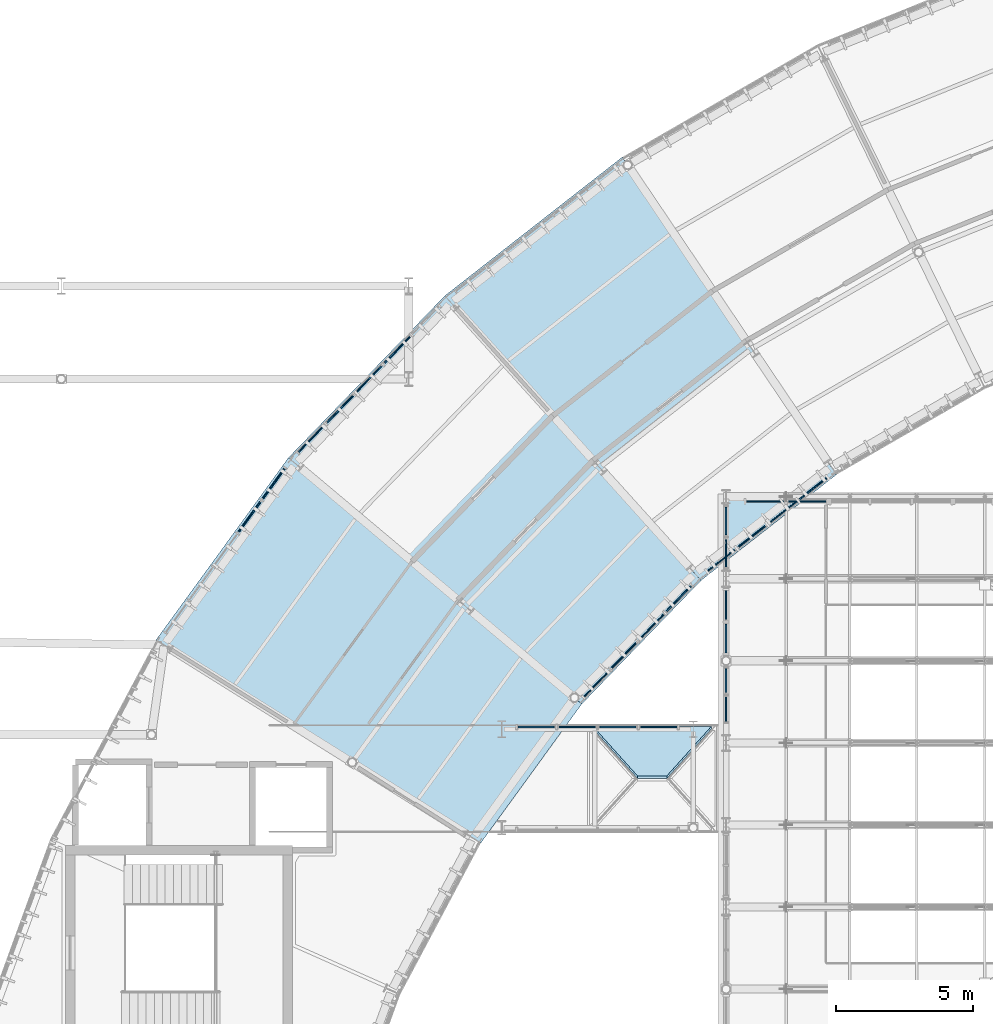
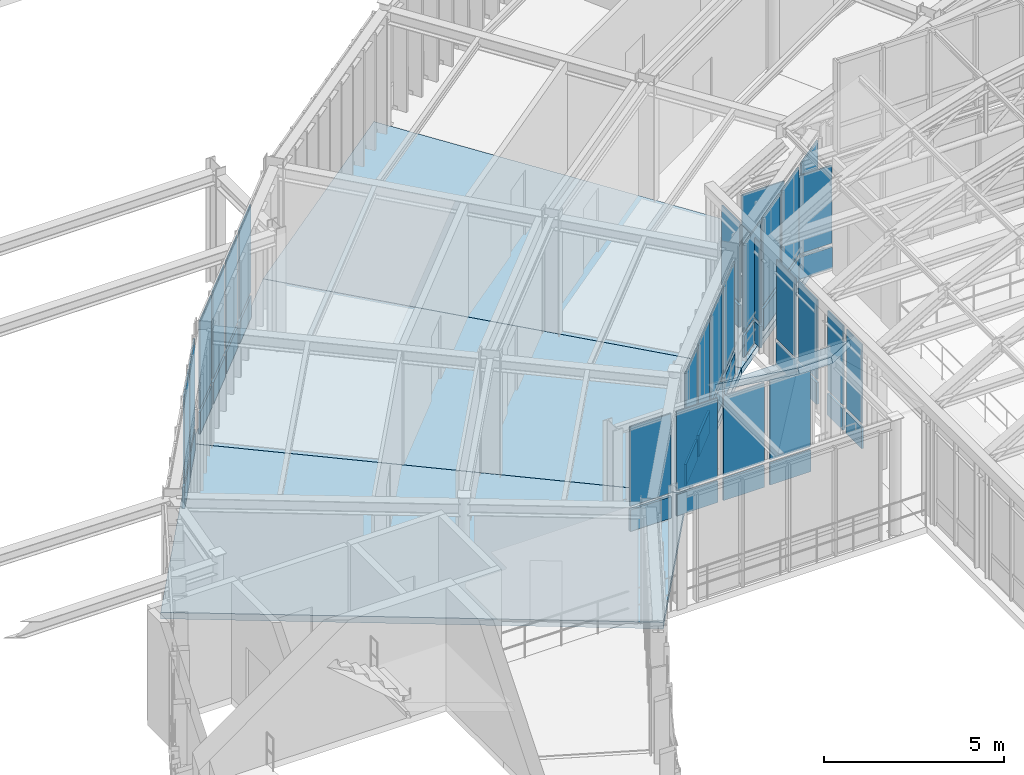
# One storey, part 96 of 148: 52 plates, 4 slabs, 9 elements without a shape of their own.
"""IFC4 building model written with IfcOpenShell, lengths in metres."""

from ifc_helpers import new_model, si_unit, direction, frame, origin, origin_2d, place, context, subcontext, project, spatial, polyline, rectangle, outline, extrude, material, layer, layer_set, type_object, element, aggregate, save


model = new_model("IFC4")

# Units and contexts
model_context = context("Model", 3, precision=1e-05, world=origin(), true_north=direction((0.0, 1.0)))
body_context = subcontext(model_context, "Body", "Model", "MODEL_VIEW")
ifc_project = project(units=[si_unit("LENGTHUNIT", "METRE"), si_unit("AREAUNIT", "SQUARE_METRE"), si_unit("VOLUMEUNIT", "CUBIC_METRE"), si_unit("PLANEANGLEUNIT", "RADIAN"), si_unit("MASSUNIT", "GRAM", prefix="KILO"), si_unit("THERMODYNAMICTEMPERATUREUNIT", "KELVIN"), si_unit("POWERUNIT", "WATT")], contexts=[model_context])

# Site, building, storey
site_placement = place(None, origin())
site = spatial("IfcSite", under=ifc_project, at=site_placement, CompositionType="ELEMENT")
building_placement = place(site_placement, origin())
building = spatial("IfcBuilding", under=site, at=building_placement, Name="Solvatero Civic Police Headquarters", CompositionType="ELEMENT")
storey_placement = place(building_placement, frame((0.0, 0.0, 5.10009765625)))
storey = spatial("IfcBuildingStorey", under=building, at=storey_placement, Name="L01", CompositionType="ELEMENT", Elevation=5.10009765625)

# Curtain wall, plates
ifc_material_1 = material(Name="Anodized Bronze Aluminium", Category="aluminium")
ifc_layer_1 = layer(ifc_material_1, 0.179931640625)
ifc_layer_set_1 = layer_set([ifc_layer_1], Name="Anodized Bronze Aluminium")
curtain_wall_type_1 = type_object("IfcCurtainWallType", Name="CW-ARC-IN", PredefinedType="USERDEFINED", material=ifc_layer_set_1)
curtain_wall_1_placement = place(storey_placement, origin())
curtain_wall_1 = element("IfcCurtainWall", 1, at=curtain_wall_1_placement, inside=storey, type_object=curtain_wall_type_1, Name="Curtain Wall CW-R2-L01-ARC-IN-B06", ObjectType="UNITISED", PredefinedType="USERDEFINED")
ifc_material_2 = material(Name="Triple Low-E Laminated Glass", Category="glass")
ifc_layer_2 = layer(ifc_material_2, 0.0380859375)
ifc_layer_set_2 = layer_set([ifc_layer_2], Name="Triple Low-E Laminated Glass")
plate_type_1 = type_object("IfcPlateType", Name="CWP-GLZ-38", PredefinedType="CURTAIN_PANEL", material=ifc_layer_set_2)
plate_1_placement = place(storey_placement, frame((66.866943359375, 61.919921875, 0.91015625), z_axis=(0.0, 0.0, 1.0), x_axis=(-0.788010753607, -0.615661475326, 0.0)))
plate_1 = element("IfcPlate", 2, at=plate_1_placement, type_object=plate_type_1, Name="CW-R2-L01-ARC-IN-B06 Vision Glazing 2", PredefinedType="CURTAIN_PANEL", context=body_context, shape_type="SweptSolid", body=[
    extrude(rectangle(XDim=1.23876953125, YDim=0.0380859375, at=origin_2d()), origin(), (0.0, 0.0, 1.0), 2.969970703125),
])
plate_2_placement = place(storey_placement, frame((64.630859375, 60.173095703125, 0.91015625), z_axis=(0.0, 0.0, 1.0), x_axis=(-0.788010753607, -0.615661475326, 0.0)))
plate_2 = element("IfcPlate", 3, at=plate_2_placement, type_object=plate_type_1, Name="CW-R2-L01-ARC-IN-B06 Vision Glazing 4", PredefinedType="CURTAIN_PANEL", context=body_context, shape_type="SweptSolid", body=[
    extrude(rectangle(XDim=1.23876953125, YDim=0.0380859375, at=origin_2d()), origin(), (0.0, 0.0, 1.0), 2.969970703125),
])

ifc_layer_3 = layer(ifc_material_1, 0.179931640625)
ifc_layer_set_3 = layer_set([ifc_layer_3], Name="Anodized Bronze Aluminium")
curtain_wall_type_2 = type_object("IfcCurtainWallType", Name="CW-ARC-OUT", PredefinedType="USERDEFINED", material=ifc_layer_set_3)
curtain_wall_2_placement = place(storey_placement, origin())
curtain_wall_2 = element("IfcCurtainWall", 4, at=curtain_wall_2_placement, inside=storey, type_object=curtain_wall_type_2, Name="Curtain Wall CW-R2-L01-ARC-OUT-B07", ObjectType="UNITISED", PredefinedType="USERDEFINED")
plate_3_placement = place(storey_placement, frame((51.735107421875, 66.7880859375, 0.91015625), z_axis=(0.0, 0.0, 1.0), x_axis=(-0.694645815505, -0.719351924305, 0.0)))
plate_3 = element("IfcPlate", 5, at=plate_3_placement, type_object=plate_type_1, Name="CW-R2-L01-ARC-OUT-B07 Vision Glazing 3", PredefinedType="CURTAIN_PANEL", context=body_context, shape_type="SweptSolid", body=[
    extrude(rectangle(XDim=1.328125, YDim=0.0380859375, at=origin_2d()), origin(), (0.0, 0.0, 1.0), 2.969970703125),
])
plate_4_placement = place(storey_placement, frame((49.64013671875, 64.618408203125, 0.91015625), z_axis=(0.0, 0.0, 1.0), x_axis=(-0.694645815505, -0.719351924305, 0.0)))
plate_4 = element("IfcPlate", 6, at=plate_4_placement, type_object=plate_type_1, Name="CW-R2-L01-ARC-OUT-B07 Vision Glazing 5", PredefinedType="CURTAIN_PANEL", context=body_context, shape_type="SweptSolid", body=[
    extrude(rectangle(XDim=1.328125, YDim=0.0380859375, at=origin_2d()), origin(), (0.0, 0.0, 1.0), 2.969970703125),
])

curtain_wall_3_placement = place(storey_placement, origin())
curtain_wall_3 = element("IfcCurtainWall", 7, at=curtain_wall_3_placement, inside=storey, type_object=curtain_wall_type_1, Name="Curtain Wall CW-R2-L01-ARC-IN-B07", ObjectType="UNITISED", PredefinedType="USERDEFINED")
plate_5_placement = place(storey_placement, frame((62.072509765625, 57.732666015625, 0.91015625), z_axis=(0.0, 0.0, 1.0), x_axis=(-0.694658370459, -0.719339800339, 0.0)))
plate_5 = element("IfcPlate", 8, at=plate_5_placement, type_object=plate_type_1, Name="CW-R2-L01-ARC-IN-B07 Vision Glazing 2", PredefinedType="CURTAIN_PANEL", context=body_context, shape_type="SweptSolid", body=[
    extrude(rectangle(XDim=1.263671875, YDim=0.0380859375, at=origin_2d()), origin(), (0.0, 0.0, 1.0), 2.969970703125),
])
plate_6_placement = place(storey_placement, frame((60.066650390625, 55.655517578125, 0.91015625), z_axis=(0.0, 0.0, 1.0), x_axis=(-0.694658370459, -0.719339800339, 0.0)))
plate_6 = element("IfcPlate", 9, at=plate_6_placement, type_object=plate_type_1, Name="CW-R2-L01-ARC-IN-B07 Vision Glazing 4", PredefinedType="CURTAIN_PANEL", context=body_context, shape_type="SweptSolid", body=[
    extrude(rectangle(XDim=1.263671875, YDim=0.0380859375, at=origin_2d()), origin(), (0.0, 0.0, 1.0), 2.969970703125),
])

# Curtain wall, plate
curtain_wall_4_placement = place(storey_placement, origin())
curtain_wall_4 = element("IfcCurtainWall", 10, at=curtain_wall_4_placement, inside=storey, type_object=curtain_wall_type_2, Name="Curtain Wall CW-R2-L01-ARC-OUT-B08", ObjectType="UNITISED", PredefinedType="USERDEFINED")
plate_7_placement = place(storey_placement, frame((48.265869140625, 62.980712890625, 0.91015625), z_axis=(0.0, 0.0, 1.0), x_axis=(-0.587785252292, -0.809016994375, 0.0)))
plate_7 = element("IfcPlate", 11, at=plate_7_placement, type_object=plate_type_1, Name="CW-R2-L01-ARC-OUT-B08 Vision Glazing 1", PredefinedType="CURTAIN_PANEL", context=body_context, shape_type="SweptSolid", body=[
    extrude(rectangle(XDim=1.326171875, YDim=0.0380859375, at=origin_2d()), origin(), (0.0, 0.0, 1.0), 2.969970703125),
])

ifc_layer_4 = layer(ifc_material_1, 0.179931640625)
ifc_layer_set_4 = layer_set([ifc_layer_4], Name="Anodized Bronze Aluminium")
curtain_wall_type_3 = type_object("IfcCurtainWallType", Name="CW-HAL-GLZ", PredefinedType="USERDEFINED", material=ifc_layer_set_4)
curtain_wall_5_placement = place(storey_placement, origin())
curtain_wall_5 = element("IfcCurtainWall", 12, at=curtain_wall_5_placement, inside=storey, type_object=curtain_wall_type_3, Name="Curtain Wall CW-R2-L01-V2-W-B5", ObjectType="UNITISED", PredefinedType="USERDEFINED")
plate_8_placement = place(storey_placement, frame((64.800048828125, 54.73193359375, 0.909912109375), z_axis=(0.0, 0.0, 1.0), x_axis=(0.0, 1.0, 0.0)))
plate_8 = element("IfcPlate", 13, at=plate_8_placement, type_object=plate_type_1, Name="CW-R2-L01-V2-W-B5 Vision Glazing 1", PredefinedType="CURTAIN_PANEL", context=body_context, shape_type="SweptSolid", body=[
    extrude(rectangle(XDim=0.864013671875, YDim=0.0380859375, at=origin_2d()), origin(), (0.0, 0.0, 1.0), 2.68994140625),
])

curtain_wall_6_placement = place(storey_placement, origin())
curtain_wall_6 = element("IfcCurtainWall", 14, at=curtain_wall_6_placement, inside=storey, type_object=curtain_wall_type_3, Name="Curtain Wall CW-R2-L01-V2-W-B6", ObjectType="UNITISED", PredefinedType="USERDEFINED")
plate_9_placement = place(storey_placement, frame((64.800048828125, 58.5380859375, 0.909912109375), z_axis=(0.0, 0.0, 1.0), x_axis=(0.0, 1.0, 0.0)))
plate_9 = element("IfcPlate", 15, at=plate_9_placement, type_object=plate_type_1, Name="CW-R2-L01-V2-W-B6 Vision Glazing 2", PredefinedType="CURTAIN_PANEL", context=body_context, shape_type="SweptSolid", body=[
    extrude(rectangle(XDim=1.0439453125, YDim=0.0380859375, at=origin_2d()), origin(), (0.0, 0.0, 1.0), 2.68994140625),
])

curtain_wall_7_placement = place(storey_placement, origin())
curtain_wall_7 = element("IfcCurtainWall", 16, at=curtain_wall_7_placement, inside=storey, type_object=curtain_wall_type_3, Name="Curtain Wall CW-R2-L01-V2-W-B7", ObjectType="UNITISED", PredefinedType="USERDEFINED")
plate_10_placement = place(storey_placement, frame((64.800048828125, 60.43701171875, 0.909912109375), z_axis=(0.0, 0.0, 1.0), x_axis=(0.0, 1.0, 0.0)))
plate_10 = element("IfcPlate", 17, at=plate_10_placement, type_object=plate_type_1, Name="CW-R2-L01-V2-W-B7 Vision Glazing 1", PredefinedType="CURTAIN_PANEL", context=body_context, shape_type="SweptSolid", body=[
    extrude(rectangle(XDim=0.993896484375, YDim=0.0380859375, at=origin_2d()), origin(), (0.0, 0.0, 1.0), 2.68994140625),
])

# Curtain wall, plates
ifc_layer_5 = layer(ifc_material_1, 0.179931640625)
ifc_layer_set_5 = layer_set([ifc_layer_5], Name="Anodized Bronze Aluminium")
curtain_wall_type_4 = type_object("IfcCurtainWallType", Name="CW-SB-GLZ", PredefinedType="USERDEFINED", material=ifc_layer_set_5)
curtain_wall_8_placement = place(storey_placement, origin())
curtain_wall_8 = element("IfcCurtainWall", 18, at=curtain_wall_8_placement, inside=storey, type_object=curtain_wall_type_4, Name="Curtain Wall CW-R2-L01-V2LK-N", ObjectType="UNITISED", PredefinedType="USERDEFINED")
plate_11_placement = place(storey_placement, frame((59.3525390625, 54.080078125, 0.909912109375), z_axis=(0.0, 0.0, 1.0), x_axis=(1.0, 0.0, 0.0)))
plate_11 = element("IfcPlate", 19, at=plate_11_placement, type_object=plate_type_1, Name="CW-R2-L01-V2LK-N Vision Glazing 2", PredefinedType="CURTAIN_PANEL", context=body_context, shape_type="SweptSolid", body=[
    extrude(rectangle(XDim=1.31494140625, YDim=0.0380859375, at=origin_2d()), origin(), (0.0, 0.0, 1.0), 2.68994140625),
])
plate_12_placement = place(storey_placement, frame((62.342529296875, 54.080078125, 0.909912109375), z_axis=(0.0, 0.0, 1.0), x_axis=(1.0, 0.0, 0.0)))
plate_12 = element("IfcPlate", 20, at=plate_12_placement, type_object=plate_type_1, Name="CW-R2-L01-V2LK-N Vision Glazing 4", PredefinedType="CURTAIN_PANEL", context=body_context, shape_type="SweptSolid", body=[
    extrude(rectangle(XDim=1.31494140625, YDim=0.0380859375, at=origin_2d()), origin(), (0.0, 0.0, 1.0), 2.68994140625),
])

# Curtain wall, plate
curtain_wall_9_placement = place(storey_placement, origin())
curtain_wall_9 = element("IfcCurtainWall", 21, at=curtain_wall_9_placement, inside=storey, type_object=curtain_wall_type_3, Name="Curtain Wall CW-R2-L01-V2-N", ObjectType="UNITISED", PredefinedType="USERDEFINED")
plate_13_placement = place(storey_placement, frame((67.763916015625, 62.320068359375, 0.909912109375), z_axis=(0.0, 0.0, 1.0), x_axis=(1.0, 0.0, 0.0)))
plate_13 = element("IfcPlate", 22, at=plate_13_placement, type_object=plate_type_1, Name="CW-R2-L01-V2-N Vision Glazing 2", PredefinedType="CURTAIN_PANEL", context=body_context, shape_type="SweptSolid", body=[
    extrude(rectangle(XDim=1.35595703125, YDim=0.0380859375, at=origin_2d()), origin(), (0.0, 0.0, 1.0), 2.64990234375),
])

# Plate
ifc_material_3 = material(Name="Acoustic Ballistic Laminated Glass", Category="glass")
ifc_layer_6 = layer(ifc_material_3, 0.0439453125)
ifc_layer_set_6 = layer_set([ifc_layer_6], Name="Acoustic Ballistic Laminated Glass")
plate_type_2 = type_object("IfcPlateType", Name="CWP-GLZ-44", PredefinedType="CURTAIN_PANEL", material=ifc_layer_set_6)
plate_14_placement = place(storey_placement, frame((67.98486328125, 62.79345703125, 0.91015625), z_axis=(0.0, 0.0, 1.0), x_axis=(-0.788010753607, -0.615661475326, 0.0)))
plate_14 = element("IfcPlate", 23, at=plate_14_placement, type_object=plate_type_2, Name="CW-R2-L01-ARC-IN-B06 Vision Glazing 1", PredefinedType="CURTAIN_PANEL", context=body_context, shape_type="SweptSolid", body=[
    extrude(rectangle(XDim=1.23876953125, YDim=0.0439453125, at=origin_2d()), origin(), (0.0, 0.0, 1.0), 2.969970703125),
])

plate_15_placement = place(storey_placement, frame((65.748779296875, 61.04638671875, 0.91015625), z_axis=(0.0, 0.0, 1.0), x_axis=(-0.788010753607, -0.615661475326, 0.0)))
plate_15 = element("IfcPlate", 24, at=plate_15_placement, type_object=plate_type_2, Name="CW-R2-L01-ARC-IN-B06 Vision Glazing 3", PredefinedType="CURTAIN_PANEL", context=body_context, shape_type="SweptSolid", body=[
    extrude(rectangle(XDim=1.23876953125, YDim=0.0439453125, at=origin_2d()), origin(), (0.0, 0.0, 1.0), 2.969970703125),
])

plate_16_placement = place(storey_placement, frame((52.78271484375, 67.873046875, 0.91015625), z_axis=(0.0, 0.0, 1.0), x_axis=(-0.694645815505, -0.719351924305, 0.0)))
plate_16 = element("IfcPlate", 25, at=plate_16_placement, type_object=plate_type_2, Name="CW-R2-L01-ARC-OUT-B07 Vision Glazing 2", PredefinedType="CURTAIN_PANEL", context=body_context, shape_type="SweptSolid", body=[
    extrude(rectangle(XDim=1.328125, YDim=0.0439453125, at=origin_2d()), origin(), (0.0, 0.0, 1.0), 2.969970703125),
])

plate_17_placement = place(storey_placement, frame((50.687744140625, 65.703369140625, 0.91015625), z_axis=(0.0, 0.0, 1.0), x_axis=(-0.694645815505, -0.719351924305, 0.0)))
plate_17 = element("IfcPlate", 26, at=plate_17_placement, type_object=plate_type_2, Name="CW-R2-L01-ARC-OUT-B07 Vision Glazing 4", PredefinedType="CURTAIN_PANEL", context=body_context, shape_type="SweptSolid", body=[
    extrude(rectangle(XDim=1.328125, YDim=0.0439453125, at=origin_2d()), origin(), (0.0, 0.0, 1.0), 2.969970703125),
])

plate_18_placement = place(storey_placement, frame((63.075439453125, 58.77099609375, 0.91015625), z_axis=(0.0, 0.0, 1.0), x_axis=(-0.694658370459, -0.719339800339, 0.0)))
plate_18 = element("IfcPlate", 27, at=plate_18_placement, type_object=plate_type_2, Name="CW-R2-L01-ARC-IN-B07 Vision Glazing 1", PredefinedType="CURTAIN_PANEL", context=body_context, shape_type="SweptSolid", body=[
    extrude(rectangle(XDim=1.263671875, YDim=0.0439453125, at=origin_2d()), origin(), (0.0, 0.0, 1.0), 2.969970703125),
])

plate_19_placement = place(storey_placement, frame((61.069580078125, 56.694091796875, 0.91015625), z_axis=(0.0, 0.0, 1.0), x_axis=(-0.694658370459, -0.719339800339, 0.0)))
plate_19 = element("IfcPlate", 28, at=plate_19_placement, type_object=plate_type_2, Name="CW-R2-L01-ARC-IN-B07 Vision Glazing 3", PredefinedType="CURTAIN_PANEL", context=body_context, shape_type="SweptSolid", body=[
    extrude(rectangle(XDim=1.263671875, YDim=0.0439453125, at=origin_2d()), origin(), (0.0, 0.0, 1.0), 2.969970703125),
])

plate_20_placement = place(storey_placement, frame((47.380615234375, 61.76220703125, 0.91015625), z_axis=(0.0, 0.0, 1.0), x_axis=(-0.587785252292, -0.809016994375, 0.0)))
plate_20 = element("IfcPlate", 29, at=plate_20_placement, type_object=plate_type_2, Name="CW-R2-L01-ARC-OUT-B08 Vision Glazing 2", PredefinedType="CURTAIN_PANEL", context=body_context, shape_type="SweptSolid", body=[
    extrude(rectangle(XDim=1.326171875, YDim=0.0439453125, at=origin_2d()), origin(), (0.0, 0.0, 1.0), 2.969970703125),
])

plate_21_placement = place(storey_placement, frame((64.800048828125, 55.77587890625, 0.909912109375), z_axis=(0.0, 0.0, 1.0), x_axis=(0.0, 1.0, 0.0)))
plate_21 = element("IfcPlate", 30, at=plate_21_placement, type_object=plate_type_2, Name="CW-R2-L01-V2-W-B5 Vision Glazing 2", PredefinedType="CURTAIN_PANEL", context=body_context, shape_type="SweptSolid", body=[
    extrude(rectangle(XDim=0.864013671875, YDim=0.0439453125, at=origin_2d()), origin(), (0.0, 0.0, 1.0), 2.68994140625),
])

plate_22_placement = place(storey_placement, frame((64.800048828125, 57.31396484375, 0.909912109375), z_axis=(0.0, 0.0, 1.0), x_axis=(0.0, 1.0, 0.0)))
plate_22 = element("IfcPlate", 31, at=plate_22_placement, type_object=plate_type_2, Name="CW-R2-L01-V2-W-B6 Vision Glazing 1", PredefinedType="CURTAIN_PANEL", context=body_context, shape_type="SweptSolid", body=[
    extrude(rectangle(XDim=1.0439453125, YDim=0.0439453125, at=origin_2d()), origin(), (0.0, 0.0, 1.0), 2.68994140625),
])

plate_23_placement = place(storey_placement, frame((64.800048828125, 61.611083984375, 0.909912109375), z_axis=(0.0, 0.0, 1.0), x_axis=(0.0, 1.0, 0.0)))
plate_23 = element("IfcPlate", 32, at=plate_23_placement, type_object=plate_type_2, Name="CW-R2-L01-V2-W-B7 Vision Glazing 2", PredefinedType="CURTAIN_PANEL", context=body_context, shape_type="SweptSolid", body=[
    extrude(rectangle(XDim=0.993896484375, YDim=0.0439453125, at=origin_2d()), origin(), (0.0, 0.0, 1.0), 2.68994140625),
])

plate_24_placement = place(storey_placement, frame((57.857421875, 54.080078125, 0.909912109375), z_axis=(0.0, 0.0, 1.0), x_axis=(1.0, 0.0, 0.0)))
plate_24 = element("IfcPlate", 33, at=plate_24_placement, type_object=plate_type_2, Name="CW-R2-L01-V2LK-N Vision Glazing 1", PredefinedType="CURTAIN_PANEL", context=body_context, shape_type="SweptSolid", body=[
    extrude(rectangle(XDim=1.31494140625, YDim=0.0439453125, at=origin_2d()), origin(), (0.0, 0.0, 1.0), 2.68994140625),
])

plate_25_placement = place(storey_placement, frame((60.847412109375, 54.080078125, 0.909912109375), z_axis=(0.0, 0.0, 1.0), x_axis=(1.0, 0.0, 0.0)))
plate_25 = element("IfcPlate", 34, at=plate_25_placement, type_object=plate_type_2, Name="CW-R2-L01-V2LK-N Vision Glazing 3", PredefinedType="CURTAIN_PANEL", context=body_context, shape_type="SweptSolid", body=[
    extrude(rectangle(XDim=1.31494140625, YDim=0.0439453125, at=origin_2d()), origin(), (0.0, 0.0, 1.0), 2.68994140625),
])

plate_26_placement = place(storey_placement, frame((66.227783203125, 62.320068359375, 0.909912109375), z_axis=(0.0, 0.0, 1.0), x_axis=(1.0, 0.0, 0.0)))
plate_26 = element("IfcPlate", 35, at=plate_26_placement, type_object=plate_type_2, Name="CW-R2-L01-V2-N Vision Glazing 1", PredefinedType="CURTAIN_PANEL", context=body_context, shape_type="SweptSolid", body=[
    extrude(rectangle(XDim=1.35595703125, YDim=0.0439453125, at=origin_2d()), origin(), (0.0, 0.0, 1.0), 2.64990234375),
])

ifc_material_4 = material(Name="Insulated Bronze Aluminium Spandrel", Category="aluminium")
ifc_layer_7 = layer(ifc_material_4, 0.06005859375)
ifc_layer_set_7 = layer_set([ifc_layer_7], Name="Insulated Bronze Aluminium Spandrel")
plate_type_3 = type_object("IfcPlateType", Name="CWP-SPN-60", PredefinedType="CURTAIN_PANEL", material=ifc_layer_set_7)
plate_27_placement = place(storey_placement, frame((66.866943359375, 61.919921875, 0.059814453125), z_axis=(0.0, 0.0, 1.0), x_axis=(-0.788010753607, -0.615661475326, 0.0)))
plate_27 = element("IfcPlate", 36, at=plate_27_placement, type_object=plate_type_3, Name="CW-R2-L01-ARC-IN-B06 Spandrel Panel 2", PredefinedType="CURTAIN_PANEL", context=body_context, shape_type="SweptSolid", body=[
    extrude(rectangle(XDim=1.23876953125, YDim=0.06005859375, at=origin_2d()), origin(), (0.0, 0.0, 1.0), 0.72998046875),
])

plate_28_placement = place(storey_placement, frame((64.630859375, 60.173095703125, 0.059814453125), z_axis=(0.0, 0.0, 1.0), x_axis=(-0.788010753607, -0.615661475326, 0.0)))
plate_28 = element("IfcPlate", 37, at=plate_28_placement, type_object=plate_type_3, Name="CW-R2-L01-ARC-IN-B06 Spandrel Panel 4", PredefinedType="CURTAIN_PANEL", context=body_context, shape_type="SweptSolid", body=[
    extrude(rectangle(XDim=1.23876953125, YDim=0.06005859375, at=origin_2d()), origin(), (0.0, 0.0, 1.0), 0.72998046875),
])

plate_29_placement = place(storey_placement, frame((51.735107421875, 66.7880859375, 0.059814453125), z_axis=(0.0, 0.0, 1.0), x_axis=(-0.694645815505, -0.719351924305, 0.0)))
plate_29 = element("IfcPlate", 38, at=plate_29_placement, type_object=plate_type_3, Name="CW-R2-L01-ARC-OUT-B07 Spandrel Panel 3", PredefinedType="CURTAIN_PANEL", context=body_context, shape_type="SweptSolid", body=[
    extrude(rectangle(XDim=1.328125, YDim=0.06005859375, at=origin_2d()), origin(), (0.0, 0.0, 1.0), 0.72998046875),
])

plate_30_placement = place(storey_placement, frame((49.64013671875, 64.618408203125, 0.059814453125), z_axis=(0.0, 0.0, 1.0), x_axis=(-0.694645815505, -0.719351924305, 0.0)))
plate_30 = element("IfcPlate", 39, at=plate_30_placement, type_object=plate_type_3, Name="CW-R2-L01-ARC-OUT-B07 Spandrel Panel 5", PredefinedType="CURTAIN_PANEL", context=body_context, shape_type="SweptSolid", body=[
    extrude(rectangle(XDim=1.328125, YDim=0.06005859375, at=origin_2d()), origin(), (0.0, 0.0, 1.0), 0.72998046875),
])

plate_31_placement = place(storey_placement, frame((62.072509765625, 57.732666015625, 0.059814453125), z_axis=(0.0, 0.0, 1.0), x_axis=(-0.694658370459, -0.719339800339, 0.0)))
plate_31 = element("IfcPlate", 40, at=plate_31_placement, type_object=plate_type_3, Name="CW-R2-L01-ARC-IN-B07 Spandrel Panel 2", PredefinedType="CURTAIN_PANEL", context=body_context, shape_type="SweptSolid", body=[
    extrude(rectangle(XDim=1.263671875, YDim=0.06005859375, at=origin_2d()), origin(), (0.0, 0.0, 1.0), 0.72998046875),
])

plate_32_placement = place(storey_placement, frame((60.066650390625, 55.655517578125, 0.059814453125), z_axis=(0.0, 0.0, 1.0), x_axis=(-0.694658370459, -0.719339800339, 0.0)))
plate_32 = element("IfcPlate", 41, at=plate_32_placement, type_object=plate_type_3, Name="CW-R2-L01-ARC-IN-B07 Spandrel Panel 4", PredefinedType="CURTAIN_PANEL", context=body_context, shape_type="SweptSolid", body=[
    extrude(rectangle(XDim=1.263671875, YDim=0.06005859375, at=origin_2d()), origin(), (0.0, 0.0, 1.0), 0.72998046875),
])

plate_33_placement = place(storey_placement, frame((48.265869140625, 62.980712890625, 0.059814453125), z_axis=(0.0, 0.0, 1.0), x_axis=(-0.587785252292, -0.809016994375, 0.0)))
plate_33 = element("IfcPlate", 42, at=plate_33_placement, type_object=plate_type_3, Name="CW-R2-L01-ARC-OUT-B08 Spandrel Panel 1", PredefinedType="CURTAIN_PANEL", context=body_context, shape_type="SweptSolid", body=[
    extrude(rectangle(XDim=1.326171875, YDim=0.06005859375, at=origin_2d()), origin(), (0.0, 0.0, 1.0), 0.72998046875),
])

plate_34_placement = place(storey_placement, frame((64.800048828125, 54.73193359375, 0.059814453125), z_axis=(0.0, 0.0, 1.0), x_axis=(0.0, 1.0, 0.0)))
plate_34 = element("IfcPlate", 43, at=plate_34_placement, type_object=plate_type_3, Name="CW-R2-L01-V2-W-B5 Spandrel Panel 1", PredefinedType="CURTAIN_PANEL", context=body_context, shape_type="SweptSolid", body=[
    extrude(rectangle(XDim=0.864013671875, YDim=0.06005859375, at=origin_2d()), origin(), (0.0, 0.0, 1.0), 0.72998046875),
])

plate_35_placement = place(storey_placement, frame((64.800048828125, 58.5380859375, 0.059814453125), z_axis=(0.0, 0.0, 1.0), x_axis=(0.0, 1.0, 0.0)))
plate_35 = element("IfcPlate", 44, at=plate_35_placement, type_object=plate_type_3, Name="CW-R2-L01-V2-W-B6 Spandrel Panel 2", PredefinedType="CURTAIN_PANEL", context=body_context, shape_type="SweptSolid", body=[
    extrude(rectangle(XDim=1.0439453125, YDim=0.06005859375, at=origin_2d()), origin(), (0.0, 0.0, 1.0), 0.72998046875),
])

plate_36_placement = place(storey_placement, frame((64.800048828125, 60.43701171875, 0.059814453125), z_axis=(0.0, 0.0, 1.0), x_axis=(0.0, 1.0, 0.0)))
plate_36 = element("IfcPlate", 45, at=plate_36_placement, type_object=plate_type_3, Name="CW-R2-L01-V2-W-B7 Spandrel Panel 1", PredefinedType="CURTAIN_PANEL", context=body_context, shape_type="SweptSolid", body=[
    extrude(rectangle(XDim=0.993896484375, YDim=0.06005859375, at=origin_2d()), origin(), (0.0, 0.0, 1.0), 0.72998046875),
])

plate_37_placement = place(storey_placement, frame((59.3525390625, 54.080078125, 0.059814453125), z_axis=(0.0, 0.0, 1.0), x_axis=(1.0, 0.0, 0.0)))
plate_37 = element("IfcPlate", 46, at=plate_37_placement, type_object=plate_type_3, Name="CW-R2-L01-V2LK-N Spandrel Panel 2", PredefinedType="CURTAIN_PANEL", context=body_context, shape_type="SweptSolid", body=[
    extrude(rectangle(XDim=1.31494140625, YDim=0.06005859375, at=origin_2d()), origin(), (0.0, 0.0, 1.0), 0.72998046875),
])

plate_38_placement = place(storey_placement, frame((62.342529296875, 54.080078125, 0.059814453125), z_axis=(0.0, 0.0, 1.0), x_axis=(1.0, 0.0, 0.0)))
plate_38 = element("IfcPlate", 47, at=plate_38_placement, type_object=plate_type_3, Name="CW-R2-L01-V2LK-N Spandrel Panel 4", PredefinedType="CURTAIN_PANEL", context=body_context, shape_type="SweptSolid", body=[
    extrude(rectangle(XDim=1.31494140625, YDim=0.06005859375, at=origin_2d()), origin(), (0.0, 0.0, 1.0), 0.72998046875),
])

plate_39_placement = place(storey_placement, frame((67.763916015625, 62.320068359375, 0.059814453125), z_axis=(0.0, 0.0, 1.0), x_axis=(1.0, 0.0, 0.0)))
plate_39 = element("IfcPlate", 48, at=plate_39_placement, type_object=plate_type_3, Name="CW-R2-L01-V2-N Spandrel Panel 2", PredefinedType="CURTAIN_PANEL", context=body_context, shape_type="SweptSolid", body=[
    extrude(rectangle(XDim=1.35595703125, YDim=0.06005859375, at=origin_2d()), origin(), (0.0, 0.0, 1.0), 0.72998046875),
])

ifc_material_5 = material(Name="Limestone Veneer Spandrel Panel", Category="masonry")
ifc_layer_8 = layer(ifc_material_5, 0.074951171875)
ifc_layer_set_8 = layer_set([ifc_layer_8], Name="Limestone Veneer Spandrel Panel")
plate_type_4 = type_object("IfcPlateType", Name="CWP-SPN-75", PredefinedType="CURTAIN_PANEL", material=ifc_layer_set_8)
plate_40_placement = place(storey_placement, frame((67.98486328125, 62.79345703125, 0.059814453125), z_axis=(0.0, 0.0, 1.0), x_axis=(-0.788010753607, -0.615661475326, 0.0)))
plate_40 = element("IfcPlate", 49, at=plate_40_placement, type_object=plate_type_4, Name="CW-R2-L01-ARC-IN-B06 Spandrel Panel 1", PredefinedType="CURTAIN_PANEL", context=body_context, shape_type="SweptSolid", body=[
    extrude(rectangle(XDim=1.23876953125, YDim=0.074951171875, at=origin_2d()), origin(), (0.0, 0.0, 1.0), 0.72998046875),
])

plate_41_placement = place(storey_placement, frame((65.748779296875, 61.04638671875, 0.059814453125), z_axis=(0.0, 0.0, 1.0), x_axis=(-0.788010753607, -0.615661475326, 0.0)))
plate_41 = element("IfcPlate", 50, at=plate_41_placement, type_object=plate_type_4, Name="CW-R2-L01-ARC-IN-B06 Spandrel Panel 3", PredefinedType="CURTAIN_PANEL", context=body_context, shape_type="SweptSolid", body=[
    extrude(rectangle(XDim=1.23876953125, YDim=0.074951171875, at=origin_2d()), origin(), (0.0, 0.0, 1.0), 0.72998046875),
])

aggregate(curtain_wall_1, [plate_40, plate_14, plate_27, plate_1, plate_41, plate_15, plate_28, plate_2])

plate_42_placement = place(storey_placement, frame((52.78271484375, 67.873046875, 0.059814453125), z_axis=(0.0, 0.0, 1.0), x_axis=(-0.694645815505, -0.719351924305, 0.0)))
plate_42 = element("IfcPlate", 51, at=plate_42_placement, type_object=plate_type_4, Name="CW-R2-L01-ARC-OUT-B07 Spandrel Panel 2", PredefinedType="CURTAIN_PANEL", context=body_context, shape_type="SweptSolid", body=[
    extrude(rectangle(XDim=1.328125, YDim=0.074951171875, at=origin_2d()), origin(), (0.0, 0.0, 1.0), 0.72998046875),
])

plate_43_placement = place(storey_placement, frame((50.687744140625, 65.703369140625, 0.059814453125), z_axis=(0.0, 0.0, 1.0), x_axis=(-0.694645815505, -0.719351924305, 0.0)))
plate_43 = element("IfcPlate", 52, at=plate_43_placement, type_object=plate_type_4, Name="CW-R2-L01-ARC-OUT-B07 Spandrel Panel 4", PredefinedType="CURTAIN_PANEL", context=body_context, shape_type="SweptSolid", body=[
    extrude(rectangle(XDim=1.328125, YDim=0.074951171875, at=origin_2d()), origin(), (0.0, 0.0, 1.0), 0.72998046875),
])

aggregate(curtain_wall_2, [plate_42, plate_16, plate_29, plate_3, plate_43, plate_17, plate_30, plate_4])

plate_44_placement = place(storey_placement, frame((63.075439453125, 58.77099609375, 0.059814453125), z_axis=(0.0, 0.0, 1.0), x_axis=(-0.694658370459, -0.719339800339, 0.0)))
plate_44 = element("IfcPlate", 53, at=plate_44_placement, type_object=plate_type_4, Name="CW-R2-L01-ARC-IN-B07 Spandrel Panel 1", PredefinedType="CURTAIN_PANEL", context=body_context, shape_type="SweptSolid", body=[
    extrude(rectangle(XDim=1.263671875, YDim=0.074951171875, at=origin_2d()), origin(), (0.0, 0.0, 1.0), 0.72998046875),
])

plate_45_placement = place(storey_placement, frame((61.069580078125, 56.694091796875, 0.059814453125), z_axis=(0.0, 0.0, 1.0), x_axis=(-0.694658370459, -0.719339800339, 0.0)))
plate_45 = element("IfcPlate", 54, at=plate_45_placement, type_object=plate_type_4, Name="CW-R2-L01-ARC-IN-B07 Spandrel Panel 3", PredefinedType="CURTAIN_PANEL", context=body_context, shape_type="SweptSolid", body=[
    extrude(rectangle(XDim=1.263671875, YDim=0.074951171875, at=origin_2d()), origin(), (0.0, 0.0, 1.0), 0.72998046875),
])

aggregate(curtain_wall_3, [plate_44, plate_18, plate_31, plate_5, plate_45, plate_19, plate_32, plate_6])

plate_46_placement = place(storey_placement, frame((47.380615234375, 61.76220703125, 0.059814453125), z_axis=(0.0, 0.0, 1.0), x_axis=(-0.587785252292, -0.809016994375, 0.0)))
plate_46 = element("IfcPlate", 55, at=plate_46_placement, type_object=plate_type_4, Name="CW-R2-L01-ARC-OUT-B08 Spandrel Panel 2", PredefinedType="CURTAIN_PANEL", context=body_context, shape_type="SweptSolid", body=[
    extrude(rectangle(XDim=1.326171875, YDim=0.074951171875, at=origin_2d()), origin(), (0.0, 0.0, 1.0), 0.72998046875),
])

aggregate(curtain_wall_4, [plate_33, plate_7, plate_46, plate_20])

plate_47_placement = place(storey_placement, frame((64.800048828125, 55.77587890625, 0.059814453125), z_axis=(0.0, 0.0, 1.0), x_axis=(0.0, 1.0, 0.0)))
plate_47 = element("IfcPlate", 56, at=plate_47_placement, type_object=plate_type_4, Name="CW-R2-L01-V2-W-B5 Spandrel Panel 2", PredefinedType="CURTAIN_PANEL", context=body_context, shape_type="SweptSolid", body=[
    extrude(rectangle(XDim=0.864013671875, YDim=0.074951171875, at=origin_2d()), origin(), (0.0, 0.0, 1.0), 0.72998046875),
])

aggregate(curtain_wall_5, [plate_34, plate_8, plate_47, plate_21])

plate_48_placement = place(storey_placement, frame((64.800048828125, 57.31396484375, 0.059814453125), z_axis=(0.0, 0.0, 1.0), x_axis=(0.0, 1.0, 0.0)))
plate_48 = element("IfcPlate", 57, at=plate_48_placement, type_object=plate_type_4, Name="CW-R2-L01-V2-W-B6 Spandrel Panel 1", PredefinedType="CURTAIN_PANEL", context=body_context, shape_type="SweptSolid", body=[
    extrude(rectangle(XDim=1.0439453125, YDim=0.074951171875, at=origin_2d()), origin(), (0.0, 0.0, 1.0), 0.72998046875),
])

aggregate(curtain_wall_6, [plate_48, plate_22, plate_35, plate_9])

plate_49_placement = place(storey_placement, frame((64.800048828125, 61.611083984375, 0.059814453125), z_axis=(0.0, 0.0, 1.0), x_axis=(0.0, 1.0, 0.0)))
plate_49 = element("IfcPlate", 58, at=plate_49_placement, type_object=plate_type_4, Name="CW-R2-L01-V2-W-B7 Spandrel Panel 2", PredefinedType="CURTAIN_PANEL", context=body_context, shape_type="SweptSolid", body=[
    extrude(rectangle(XDim=0.993896484375, YDim=0.074951171875, at=origin_2d()), origin(), (0.0, 0.0, 1.0), 0.72998046875),
])

aggregate(curtain_wall_7, [plate_36, plate_10, plate_49, plate_23])

plate_50_placement = place(storey_placement, frame((57.857421875, 54.080078125, 0.059814453125), z_axis=(0.0, 0.0, 1.0), x_axis=(1.0, 0.0, 0.0)))
plate_50 = element("IfcPlate", 59, at=plate_50_placement, type_object=plate_type_4, Name="CW-R2-L01-V2LK-N Spandrel Panel 1", PredefinedType="CURTAIN_PANEL", context=body_context, shape_type="SweptSolid", body=[
    extrude(rectangle(XDim=1.31494140625, YDim=0.074951171875, at=origin_2d()), origin(), (0.0, 0.0, 1.0), 0.72998046875),
])

plate_51_placement = place(storey_placement, frame((60.847412109375, 54.080078125, 0.059814453125), z_axis=(0.0, 0.0, 1.0), x_axis=(1.0, 0.0, 0.0)))
plate_51 = element("IfcPlate", 60, at=plate_51_placement, type_object=plate_type_4, Name="CW-R2-L01-V2LK-N Spandrel Panel 3", PredefinedType="CURTAIN_PANEL", context=body_context, shape_type="SweptSolid", body=[
    extrude(rectangle(XDim=1.31494140625, YDim=0.074951171875, at=origin_2d()), origin(), (0.0, 0.0, 1.0), 0.72998046875),
])

aggregate(curtain_wall_8, [plate_50, plate_24, plate_37, plate_11, plate_51, plate_25, plate_38, plate_12])

plate_52_placement = place(storey_placement, frame((66.227783203125, 62.320068359375, 0.059814453125), z_axis=(0.0, 0.0, 1.0), x_axis=(1.0, 0.0, 0.0)))
plate_52 = element("IfcPlate", 61, at=plate_52_placement, type_object=plate_type_4, Name="CW-R2-L01-V2-N Spandrel Panel 1", PredefinedType="CURTAIN_PANEL", context=body_context, shape_type="SweptSolid", body=[
    extrude(rectangle(XDim=1.35595703125, YDim=0.074951171875, at=origin_2d()), origin(), (0.0, 0.0, 1.0), 0.72998046875),
])

aggregate(curtain_wall_9, [plate_52, plate_26, plate_39, plate_13])

# Slabs
ifc_material_6 = material(Name="Concrete C35/45", Category="concrete")
ifc_layer_9 = layer(ifc_material_6, 0.199951171875)
ifc_layer_set_9 = layer_set([ifc_layer_9], Name="Concrete C35/45")
slab_type_1 = type_object("IfcSlabType", Name="SLB-COMP-200", PredefinedType="FLOOR", material=ifc_layer_set_9)
slab_1_placement = place(storey_placement, frame((0.0, 0.0, -0.22021484375)))
element("IfcSlab", 62, at=slab_1_placement, inside=storey, type_object=slab_type_1, Name="L01 Operations Arc Floor Slab Bay 6", PredefinedType="FLOOR", context=body_context, shape_type="SweptSolid", body=[
    extrude(outline(polyline([(61.006103515625, 74.912109375), (68.834716796875, 63.305419921875), (63.88916015625, 59.44140625), (54.521240234375, 69.845458984375), (61.006103515625, 74.912109375)])), origin(), (0.0, 0.0, 1.0), 0.22021484375),
])
slab_2_placement = place(storey_placement, frame((0.0, 0.0, -0.22021484375)))
element("IfcSlab", 63, at=slab_2_placement, inside=storey, type_object=slab_type_1, Name="L01 Operations Arc Floor Slab Bay 7", PredefinedType="FLOOR", context=body_context, shape_type="SweptSolid", body=[
    extrude(outline(polyline([(54.52001953125, 69.843994140625), (63.8876953125, 59.440185546875), (59.528076171875, 54.92529296875), (48.803466796875, 63.924560546875), (54.52001953125, 69.843994140625)])), origin(), (0.0, 0.0, 1.0), 0.22021484375),
])
slab_3_placement = place(storey_placement, frame((0.0, 0.0, -0.22021484375)))
element("IfcSlab", 64, at=slab_3_placement, inside=storey, type_object=slab_type_1, Name="L01 Operations Arc Floor Slab Bay 8", PredefinedType="FLOOR", context=body_context, shape_type="SweptSolid", body=[
    extrude(outline(polyline([(48.80224609375, 63.9228515625), (59.52685546875, 54.923828125), (55.837890625, 49.846435546875), (43.965087890625, 57.26513671875), (48.80224609375, 63.9228515625)])), origin(), (0.0, 0.0, 1.0), 0.22021484375),
])
ifc_layer_10 = layer(ifc_material_6, 0.179931640625)
ifc_layer_set_10 = layer_set([ifc_layer_10], Name="Concrete C35/45")
slab_type_2 = type_object("IfcSlabType", Name="SLB-RF-COT-180", PredefinedType="ROOF", material=ifc_layer_set_10)
slab_4_placement = place(storey_placement, frame((61.564208984375, 52.294189453125, 5.143310546875), z_axis=(0.0, 0.514478707414, 0.85750315429), x_axis=(-0.61094712201, 0.678860727281, -0.40729808134)))
element("IfcSlab", 65, at=slab_4_placement, inside=storey, type_object=slab_type_2, Name="V2LKR Lombard Hipped Roof Slab N", PredefinedType="ROOF", context=body_context, shape_type="SweptSolid", body=[
    extrude(outline(polyline([(0.0, 0.0), (2.660204266578334, -5.551115123125783e-17), (0.019677679433642348, -3.4216208226483964), (-0.6547992835996834, -0.8484954759886155), (0.0, 0.0)])), origin(), (0.0, 0.0, -1.0), 0.179931640625),
])

save(model, "model.ifc")
